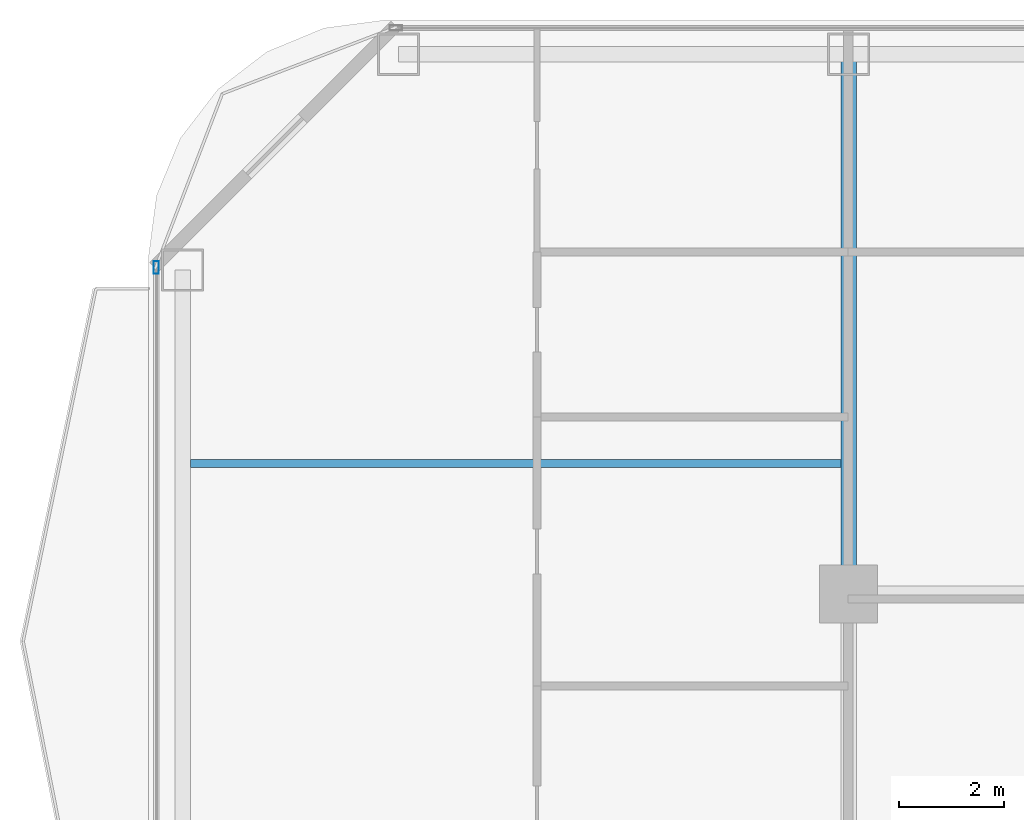
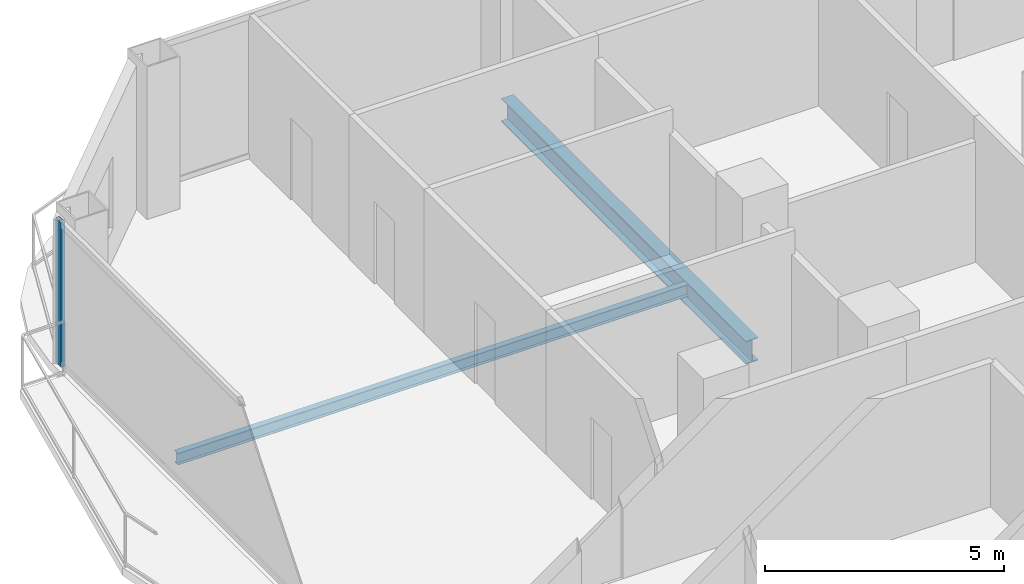
# One storey, part 13 of 27: 2 beams, 1 member, 1 element without a shape of its own.
"""IFC4 building model written with IfcOpenShell, lengths in metres."""

from ifc_helpers import new_model, si_unit, direction, frame, origin, origin_2d, place, context, subcontext, project, spatial, hollow_rectangle, i_section, extrude, material, layer, layer_set, material_profile, profile_set, type_object, element, aggregate, save


model = new_model("IFC4")

# Units and contexts
model_context = context("Model", 3, precision=1e-05, world=origin(), true_north=direction((0.0, 1.0)))
body_context = subcontext(model_context, "Body", "Model", "MODEL_VIEW")
ifc_project = project(units=[si_unit("LENGTHUNIT", "METRE"), si_unit("AREAUNIT", "SQUARE_METRE"), si_unit("VOLUMEUNIT", "CUBIC_METRE"), si_unit("PLANEANGLEUNIT", "RADIAN"), si_unit("MASSUNIT", "GRAM", prefix="KILO")], contexts=[model_context])

# Site, building, storey
site_placement = place(None, origin())
site = spatial("IfcSite", under=ifc_project, at=site_placement, CompositionType="ELEMENT")
building_placement = place(site_placement, origin())
building = spatial("IfcBuilding", under=site, at=building_placement, Name="Khorvyn Point Tower", CompositionType="ELEMENT")
storey_placement = place(building_placement, frame((0.0, 0.0, 96.89990234375)))
storey = spatial("IfcBuildingStorey", under=building, at=storey_placement, Name="L24", CompositionType="ELEMENT", Elevation=96.89990234375)

# Curtain wall, member
ifc_material_1 = material(Name="Anodised aluminium 6063-T6 and laminated Low-E glass", Category="aluminium")
ifc_layer = layer(ifc_material_1, 0.18994140625)
ifc_layer_set = layer_set([ifc_layer], Name="Stick-Built Finned Residential Curtain Wall CW-SYS-02")
curtain_wall_type = type_object("IfcCurtainWallType", Name="Stick-Built Finned Residential Curtain Wall CW-SYS-02", PredefinedType="NOTDEFINED", material=ifc_layer_set)
curtain_wall_placement = place(storey_placement, origin())
curtain_wall = element("IfcCurtainWall", 1, at=curtain_wall_placement, inside=storey, type_object=curtain_wall_type, Name="Curtain Wall", PredefinedType="NOTDEFINED")
ifc_material_2 = material(Name="Anodised aluminium 6063-T6", Category="aluminium")
ifc_material_profile_1 = material_profile(ifc_material_2, hollow_rectangle(XDim=0.10009765625, YDim=0.239990234375, WallThickness=0.0048828125, at=origin_2d()))
ifc_profile_set_1 = profile_set([ifc_material_profile_1], Name="Anodised aluminium 6063-T6 ALU-MUL-100x240")
member_type = type_object("IfcMemberType", Name="Anodised Aluminium 6063-T6 Mullion ALU-MUL-100x240", PredefinedType="MULLION", material=ifc_profile_set_1)
member_placement = place(storey_placement, frame((-27.949951171875, 26.300048828125, 0.0), z_axis=(0.0, 0.0, 1.0), x_axis=(-1.0, 0.0, 0.0)))
member = element("IfcMember", 2, at=member_placement, type_object=member_type, Name="Transom", PredefinedType="MULLION", context=body_context, shape_type="SweptSolid", body=[
    extrude(hollow_rectangle(XDim=0.10009765625, YDim=0.239990234375, WallThickness=0.0048828125, at=origin_2d()), origin(), (0.0, 0.0, 1.0), 3.68017578125),
])
aggregate(curtain_wall, [member])

# Beams
ifc_material_3 = material(Name="Steel S355", Category="steel")
ifc_material_profile_2 = material_profile(ifc_material_3, i_section(OverallWidth=0.300048828125, OverallDepth=0.587890625, WebThickness=0.011962890625, FlangeThickness=0.02001953125, at=origin_2d()))
ifc_profile_set_2 = profile_set([ifc_material_profile_2], Name="Steel S355 H588x300x12x20")
beam_type_1 = type_object("IfcBeamType", Name="Steel S355 Beam H588x300x12x20", PredefinedType="BEAM", material=ifc_profile_set_2)
beam_1_placement = place(storey_placement, frame((-14.800048828125, 20.10009765625, -0.513916015625), z_axis=(0.0, 1.0, 0.0), x_axis=(-1.0, 0.0, 0.0)))
element("IfcBeam", 3, at=beam_1_placement, inside=storey, type_object=beam_type_1, Name="Beam", PredefinedType="BEAM", context=body_context, shape_type="SweptSolid", body=[
    extrude(i_section(OverallWidth=0.300048828125, OverallDepth=0.587890625, WebThickness=0.011962890625, FlangeThickness=0.02001953125, at=origin_2d()), origin(), (0.0, 0.0, 1.0), 10.25),
])
ifc_material_profile_3 = material_profile(ifc_material_3, i_section(OverallWidth=0.14990234375, OverallDepth=0.300048828125, WebThickness=0.006591796875, FlangeThickness=0.009033203125, at=origin_2d()))
ifc_profile_set_3 = profile_set([ifc_material_profile_3], Name="Steel S355 H300x150x6.5x9")
beam_type_2 = type_object("IfcBeamType", Name="Steel S355 Joist H300x150x6.5x9", PredefinedType="JOIST", material=ifc_profile_set_3)
beam_2_placement = place(storey_placement, frame((-27.300048828125, 22.574951171875, -0.369873046875), z_axis=(1.0, 0.0, 0.0), x_axis=(0.0, 1.0, 0.0)))
element("IfcBeam", 4, at=beam_2_placement, inside=storey, type_object=beam_type_2, Name="Beam", PredefinedType="JOIST", context=body_context, shape_type="SweptSolid", body=[
    extrude(i_section(OverallWidth=0.14990234375, OverallDepth=0.300048828125, WebThickness=0.006591796875, FlangeThickness=0.009033203125, at=origin_2d()), origin(), (0.0, 0.0, 1.0), 12.35009765625),
])

save(model, "model.ifc")
